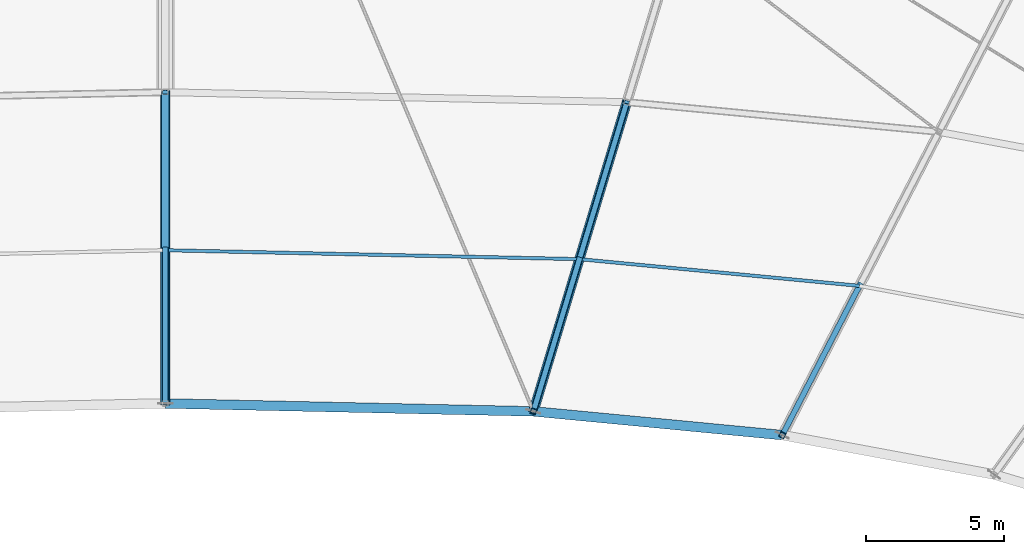
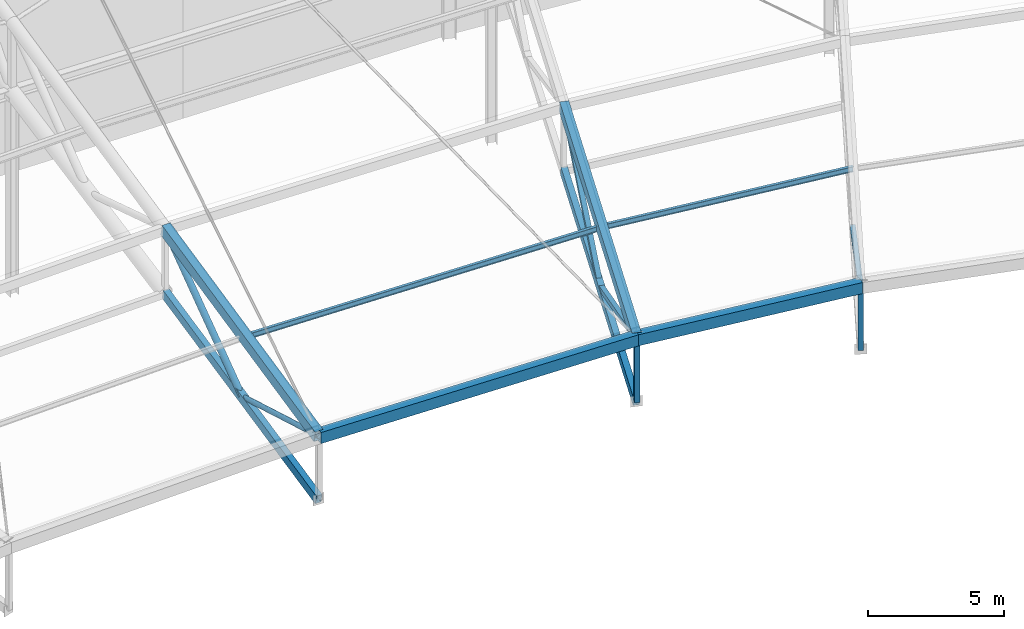
# One storey, part 55 of 143: 9 members, 6 beams.
"""IFC4 building model written with IfcOpenShell, lengths in metres."""

from ifc_helpers import new_model, si_unit, direction, frame, origin, origin_2d, place, context, subcontext, project, spatial, hollow_rectangle, hollow_circle, i_section, extrude, material, material_profile, profile_set, type_object, element, save


model = new_model("IFC4")

# Units and contexts
model_context = context("Model", 3, precision=1e-05, world=origin(), true_north=direction((0.0, 1.0)))
body_context = subcontext(model_context, "Body", "Model", "MODEL_VIEW")
ifc_project = project(units=[si_unit("LENGTHUNIT", "METRE"), si_unit("AREAUNIT", "SQUARE_METRE"), si_unit("VOLUMEUNIT", "CUBIC_METRE"), si_unit("PLANEANGLEUNIT", "RADIAN"), si_unit("MASSUNIT", "GRAM", prefix="KILO")], contexts=[model_context])

# Site, building, storey
site_placement = place(None, origin())
site = spatial("IfcSite", under=ifc_project, at=site_placement, CompositionType="ELEMENT")
building_placement = place(site_placement, origin())
building = spatial("IfcBuilding", under=site, at=building_placement, Name="Mphavela Belvedere Stadium", CompositionType="ELEMENT")
storey_placement = place(building_placement, frame((0.0, 0.0, 28.800048828125)))
storey = spatial("IfcBuildingStorey", under=building, at=storey_placement, Name="RF", CompositionType="ELEMENT", Elevation=28.800048828125)

# Beams
ifc_material_1 = material(Name="Steel S355", Category="steel")
ifc_material_profile_1 = material_profile(ifc_material_1, hollow_rectangle(XDim=0.35009765625, YDim=0.5, WallThickness=0.02001953125, at=origin_2d()), Name="RHS 500x350x20")
ifc_profile_set_1 = profile_set([ifc_material_profile_1], Name="Steel S355")
beam_type_1 = type_object("IfcBeamType", Name="BM-RING-IN", PredefinedType="BEAM", material=ifc_profile_set_1)
beam_1_placement = place(storey_placement, frame((137.383544921875, 130.331298828125, 6.90673828125), z_axis=(-0.994977937372, 0.094866111189, 0.03192687099), x_axis=(-0.094914497887, -0.995485428367, 0.0)))
element("IfcBeam", 1, at=beam_1_placement, inside=storey, type_object=beam_type_1, Name="Inner tension ring beam RB-IN-11", PredefinedType="BEAM", context=body_context, shape_type="SweptSolid", body=[
    extrude(hollow_rectangle(XDim=0.35009765625, YDim=0.5, WallThickness=0.02001953125, at=origin_2d()), origin(), (0.0, 0.0, 1.0), 9.076904296875),
])
beam_2_placement = place(storey_placement, frame((128.352294921875, 131.1923828125, 7.196533203125), z_axis=(-0.9997408488, 0.021533611013, 0.007385041468), x_axis=(-0.021534198246, -0.999768112267, 0.0)))
element("IfcBeam", 2, at=beam_2_placement, inside=storey, type_object=beam_type_1, Name="Inner tension ring beam RB-IN-12", PredefinedType="BEAM", context=body_context, shape_type="SweptSolid", body=[
    extrude(hollow_rectangle(XDim=0.35009765625, YDim=0.5, WallThickness=0.02001953125, at=origin_2d()), origin(), (0.0, 0.0, 1.0), 13.355712890625),
])
ifc_material_2 = material(Name="Steel S355", Category="steel")
ifc_material_profile_2 = material_profile(ifc_material_2, hollow_rectangle(XDim=0.25, YDim=0.39990234375, WallThickness=0.01611328125, at=origin_2d()), Name="RHS 400x250x16")
ifc_profile_set_2 = profile_set([ifc_material_profile_2], Name="Steel S355")
beam_type_2 = type_object("IfcBeamType", Name="BM-TRUSS-BC2", PredefinedType="BEAM", material=ifc_profile_set_2)
beam_3_placement = place(storey_placement, frame((131.742431640625, 142.413330078125, 6.734375), z_axis=(-0.283393510492, -0.937998641489, -0.199616298871), x_axis=(0.957264409521, -0.289214194439, 0.0)))
element("IfcBeam", 3, at=beam_3_placement, inside=storey, type_object=beam_type_2, Name="Radial roof truss RT-12 bottom chord 3", PredefinedType="BEAM", context=body_context, shape_type="SweptSolid", body=[
    extrude(hollow_rectangle(XDim=0.25, YDim=0.39990234375, WallThickness=0.01611328125, at=origin_2d()), origin(), (0.0, 0.0, 1.0), 11.962646484375),
])
beam_4_placement = place(storey_placement, frame((115.0, 142.773681640625, 6.858154296875), z_axis=(0.0, -0.977926299799, -0.208950118836), x_axis=(1.0, 0.0, 0.0)))
element("IfcBeam", 4, at=beam_4_placement, inside=storey, type_object=beam_type_2, Name="Radial roof truss RT-13 bottom chord 3", PredefinedType="BEAM", context=body_context, shape_type="SweptSolid", body=[
    extrude(hollow_rectangle(XDim=0.25, YDim=0.39990234375, WallThickness=0.01611328125, at=origin_2d()), origin(), (0.0, 0.0, 1.0), 11.548583984375),
])
ifc_material_3 = material(Name="Steel S355", Category="steel")
ifc_material_profile_3 = material_profile(ifc_material_3, hollow_rectangle(XDim=0.35009765625, YDim=0.5, WallThickness=0.02001953125, at=origin_2d()), Name="RHS 500x350x20")
ifc_profile_set_3 = profile_set([ifc_material_profile_3], Name="Steel S355")
beam_type_3 = type_object("IfcBeamType", Name="BM-TRUSS-TC2", PredefinedType="BEAM", material=ifc_profile_set_3)
beam_5_placement = place(storey_placement, frame((131.742431640625, 142.413330078125, 9.63427734375), z_axis=(-0.283155833182, -0.937211958007, -0.20360874221), x_axis=(0.957264409521, -0.289214194439, 0.0)))
element("IfcBeam", 5, at=beam_5_placement, inside=storey, type_object=beam_type_3, Name="Radial roof truss RT-12 top chord 3", PredefinedType="BEAM", context=body_context, shape_type="SweptSolid", body=[
    extrude(hollow_rectangle(XDim=0.35009765625, YDim=0.5, WallThickness=0.02001953125, at=origin_2d()), origin(), (0.0, 0.0, 1.0), 11.97265625),
])
beam_6_placement = place(storey_placement, frame((115.0, 142.773681640625, 9.758056640625), z_axis=(0.0, -0.977037190739, -0.213068833744), x_axis=(1.0, 0.0, 0.0)))
element("IfcBeam", 6, at=beam_6_placement, inside=storey, type_object=beam_type_3, Name="Radial roof truss RT-13 top chord 3", PredefinedType="BEAM", context=body_context, shape_type="SweptSolid", body=[
    extrude(hollow_rectangle(XDim=0.35009765625, YDim=0.5, WallThickness=0.02001953125, at=origin_2d()), origin(), (0.0, 0.0, 1.0), 11.55908203125),
])

# Members
ifc_material_4 = material(Name="Steel S355", Category="steel")
ifc_material_profile_4 = material_profile(ifc_material_4, hollow_circle(Radius=0.109619140625, WallThickness=0.012451171875, at=origin_2d()), Name="CHS 219.1x12.5")
ifc_profile_set_4 = profile_set([ifc_material_profile_4], Name="Steel S355")
member_type_1 = type_object("IfcMemberType", Name="MEM-DIAG-219", PredefinedType="BRACE", material=ifc_profile_set_4)
member_1_placement = place(storey_placement, frame((115.0, 137.126953125, 5.651611328125), z_axis=(0.0, -0.960158850503, 0.279454793843), x_axis=(1.0, 0.0, 0.0)))
element("IfcMember", 7, at=member_1_placement, inside=storey, type_object=member_type_1, Name="Radial roof truss RT-13 web diagonal D6", PredefinedType="BRACE", context=body_context, shape_type="SweptSolid", body=[
    extrude(hollow_circle(Radius=0.109619140625, WallThickness=0.012451171875, at=origin_2d()), origin(), (0.0, 0.0, 1.0), 5.88134765625),
])
ifc_material_5 = material(Name="Steel S355", Category="steel")
ifc_material_profile_5 = material_profile(ifc_material_5, hollow_circle(Radius=0.136474609375, WallThickness=0.012451171875, at=origin_2d()), Name="CHS 273x12.5")
ifc_profile_set_5 = profile_set([ifc_material_profile_5], Name="Steel S355")
member_type_2 = type_object("IfcMemberType", Name="MEM-DIAG-273", PredefinedType="BRACE", material=ifc_profile_set_5)
member_2_placement = place(storey_placement, frame((115.0, 142.773681640625, 9.758056640625), z_axis=(0.0, -0.808754229012, -0.588146747891), x_axis=(1.0, 0.0, 0.0)))
element("IfcMember", 8, at=member_2_placement, inside=storey, type_object=member_type_2, Name="Radial roof truss RT-13 web diagonal D5", PredefinedType="BRACE", context=body_context, shape_type="SweptSolid", body=[
    extrude(hollow_circle(Radius=0.136474609375, WallThickness=0.012451171875, at=origin_2d()), origin(), (0.0, 0.0, 1.0), 6.98193359375),
])
ifc_material_6 = material(Name="Steel S355", Category="steel")
ifc_material_profile_6 = material_profile(ifc_material_6, hollow_rectangle(XDim=0.199951171875, YDim=0.199951171875, WallThickness=0.010009765625, at=origin_2d()), Name="SHS 200x200x10")
ifc_profile_set_6 = profile_set([ifc_material_profile_6], Name="Steel S355")
member_type_3 = type_object("IfcMemberType", Name="MEM-POST-SHS200", PredefinedType="POST", material=ifc_profile_set_6)
member_3_placement = place(storey_placement, frame((137.383544921875, 130.331298828125, 4.056884765625), z_axis=(0.0, 0.0, 1.0), x_axis=(0.458959712465, 0.888457079624, 0.0)))
element("IfcMember", 9, at=member_3_placement, inside=storey, type_object=member_type_3, Name="Radial roof truss RT-11 post P4", PredefinedType="POST", context=body_context, shape_type="SweptSolid", body=[
    extrude(hollow_rectangle(XDim=0.199951171875, YDim=0.199951171875, WallThickness=0.010009765625, at=origin_2d()), origin(), (0.0, 0.0, 1.0), 2.849853515625),
])
member_4_placement = place(storey_placement, frame((140.225341796875, 135.83251953125, 5.214111328125), z_axis=(-0.442712881678, -0.857014550072, 0.263688007618), x_axis=(0.888458867439, -0.458956251586, 0.0)))
element("IfcMember", 10, at=member_4_placement, inside=storey, type_object=member_type_3, Name="Radial roof truss RT-11 web diagonal D6", PredefinedType="POST", context=body_context, shape_type="SweptSolid", body=[
    extrude(hollow_rectangle(XDim=0.199951171875, YDim=0.199951171875, WallThickness=0.010009765625, at=origin_2d()), origin(), (0.0, 0.0, 1.0), 6.4189453125),
])
member_5_placement = place(storey_placement, frame((128.352294921875, 131.1923828125, 4.346435546875), z_axis=(0.0, 0.0, 1.0), x_axis=(0.289198876314, 0.957269037387, 0.0)))
element("IfcMember", 11, at=member_5_placement, inside=storey, type_object=member_type_3, Name="Radial roof truss RT-12 post P4", PredefinedType="POST", context=body_context, shape_type="SweptSolid", body=[
    extrude(hollow_rectangle(XDim=0.199951171875, YDim=0.199951171875, WallThickness=0.010009765625, at=origin_2d()), origin(), (0.0, 0.0, 1.0), 2.85009765625),
])
member_6_placement = place(storey_placement, frame((131.742431640625, 142.413330078125, 9.63427734375), z_axis=(-0.237105915859, -0.784775161519, -0.572633155281), x_axis=(0.957262667334, -0.289219960805, 0.0)))
element("IfcMember", 12, at=member_6_placement, inside=storey, type_object=member_type_3, Name="Radial roof truss RT-12 web diagonal D5", PredefinedType="POST", context=body_context, shape_type="SweptSolid", body=[
    extrude(hollow_rectangle(XDim=0.199951171875, YDim=0.199951171875, WallThickness=0.010009765625, at=origin_2d()), origin(), (0.0, 0.0, 1.0), 7.14892578125),
])
member_7_placement = place(storey_placement, frame((130.04736328125, 136.802978515625, 5.54052734375), z_axis=(-0.278312725012, -0.921201891618, 0.271899065787), x_axis=(0.957266151603, -0.289208428292, 0.0)))
element("IfcMember", 13, at=member_7_placement, inside=storey, type_object=member_type_3, Name="Radial roof truss RT-12 web diagonal D6", PredefinedType="POST", context=body_context, shape_type="SweptSolid", body=[
    extrude(hollow_rectangle(XDim=0.199951171875, YDim=0.199951171875, WallThickness=0.010009765625, at=origin_2d()), origin(), (0.0, 0.0, 1.0), 6.090576171875),
])
ifc_material_7 = material(Name="Steel S355", Category="steel")
ifc_material_profile_7 = material_profile(ifc_material_7, i_section(OverallWidth=0.1201171875, OverallDepth=0.239990234375, WebThickness=0.006103515625, FlangeThickness=0.009765625, at=origin_2d()), Name="IPE 240")
ifc_profile_set_7 = profile_set([ifc_material_profile_7], Name="Steel S355")
member_type_4 = type_object("IfcMemberType", Name="MEM-PURLIN-IPE240", PredefinedType="PURLIN", material=ifc_profile_set_7)
member_8_placement = place(storey_placement, frame((140.181640625, 135.747802734375, 7.910888671875), z_axis=(-0.994978938534, 0.094866915638, 0.031893262465), x_axis=(-0.094915200851, -0.995485361343, 0.0)))
element("IfcMember", 14, at=member_8_placement, inside=storey, type_object=member_type_4, Name="Saddle canopy steel purlin 11-1", PredefinedType="PURLIN", context=body_context, shape_type="SweptSolid", body=[
    extrude(i_section(OverallWidth=0.1201171875, OverallDepth=0.239990234375, WebThickness=0.006103515625, FlangeThickness=0.009765625, at=origin_2d()), origin(), (0.0, 0.0, 1.0), 10.211669921875),
])
member_9_placement = place(storey_placement, frame((130.021240234375, 136.716552734375, 8.236572265625), z_axis=(-0.999740873069, 0.021529680576, 0.007393211066), x_axis=(-0.021530269002, -0.999768196892, 0.0)))
element("IfcMember", 15, at=member_9_placement, inside=storey, type_object=member_type_4, Name="Saddle canopy steel purlin 12-1", PredefinedType="PURLIN", context=body_context, shape_type="SweptSolid", body=[
    extrude(i_section(OverallWidth=0.1201171875, OverallDepth=0.239990234375, WebThickness=0.006103515625, FlangeThickness=0.009765625, at=origin_2d()), origin(), (0.0, 0.0, 1.0), 15.025146484375),
])

save(model, "model.ifc")
